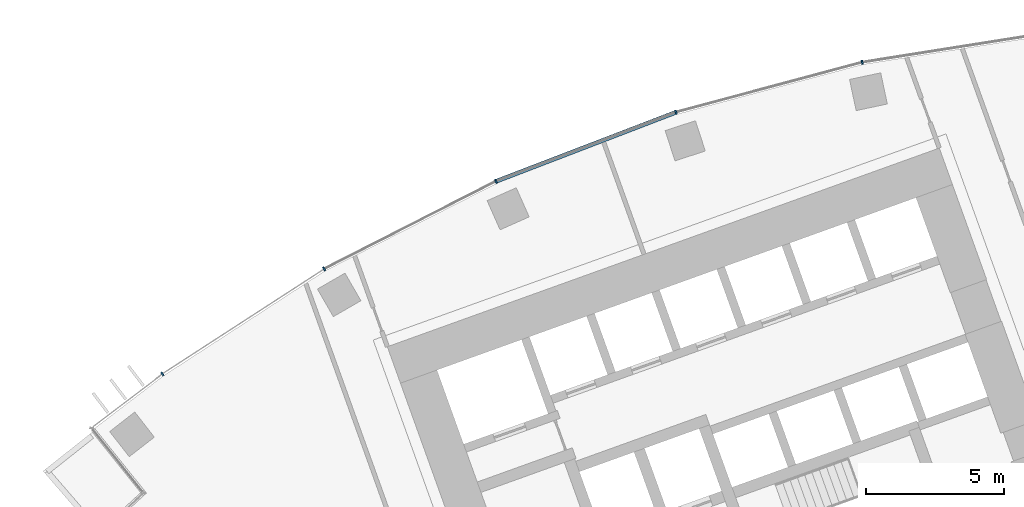
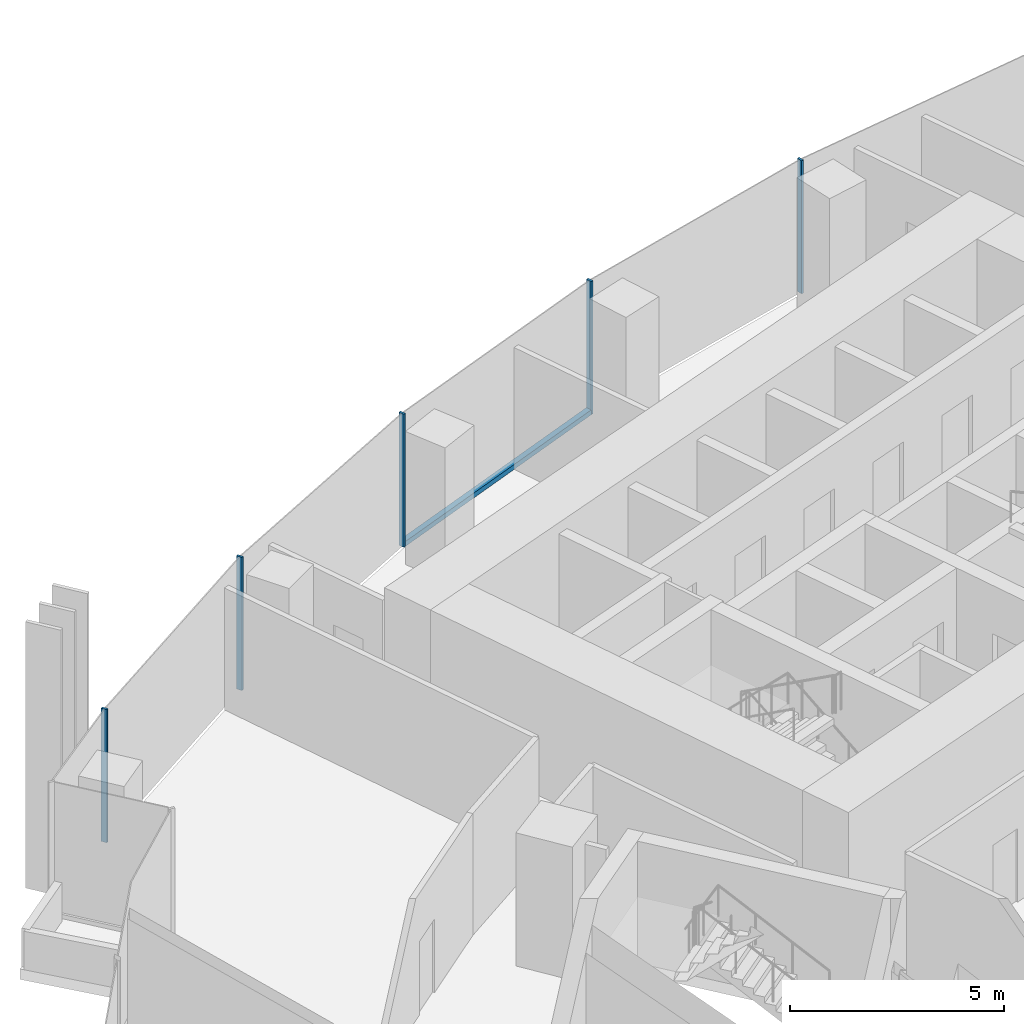
# One storey, part 5 of 20: 6 members, 1 element without a shape of its own.
"""IFC4 building model written with IfcOpenShell, lengths in metres."""

from ifc_helpers import new_model, si_unit, direction, frame, origin, origin_2d, place, context, subcontext, project, spatial, rectangle, extrude, material, layer, layer_set, material_profile, profile_set, type_object, element, aggregate, save


model = new_model("IFC4")

# Units and contexts
model_context = context("Model", 3, precision=1e-05, world=origin(), true_north=direction((0.0, 1.0)))
body_context = subcontext(model_context, "Body", "Model", "MODEL_VIEW")
ifc_project = project(units=[si_unit("LENGTHUNIT", "METRE"), si_unit("AREAUNIT", "SQUARE_METRE"), si_unit("VOLUMEUNIT", "CUBIC_METRE"), si_unit("PLANEANGLEUNIT", "RADIAN"), si_unit("MASSUNIT", "GRAM", prefix="KILO")], contexts=[model_context])

# Site, building, storey
site_placement = place(None, origin())
site = spatial("IfcSite", under=ifc_project, at=site_placement, CompositionType="ELEMENT")
building_placement = place(site_placement, origin())
building = spatial("IfcBuilding", under=site, at=building_placement, Name="Stone Belt Terrace Tower", CompositionType="ELEMENT")
storey_placement = place(building_placement, frame((0.0, 0.0, 125.0)))
storey = spatial("IfcBuildingStorey", under=building, at=storey_placement, Name="L30", CompositionType="ELEMENT", Elevation=125.0)

# Curtain wall, members
ifc_material = material(Name="Aluminium 6063-T6 anodised frame", Category="aluminium")
ifc_layer = layer(ifc_material, 0.14990234375)
ifc_layer_set = layer_set([ifc_layer], Name="CW-A unitised convex-face curtain wall")
curtain_wall_type = type_object("IfcCurtainWallType", Name="CW-A unitised convex-face curtain wall", PredefinedType="NOTDEFINED", material=ifc_layer_set)
curtain_wall_placement = place(storey_placement, origin())
curtain_wall = element("IfcCurtainWall", 1, at=curtain_wall_placement, inside=storey, type_object=curtain_wall_type, Name="CW-A convex face L30", PredefinedType="NOTDEFINED")
ifc_material_profile_1 = material_profile(ifc_material, rectangle(XDim=0.14990234375, YDim=0.06005859375, at=origin_2d()), Name="Aluminium 6063-T6 60x150")
ifc_profile_set_1 = profile_set([ifc_material_profile_1], Name="Aluminium 6063-T6 anodised frame")
member_type_1 = type_object("IfcMemberType", Name="CW-A mullion 60 x 150", PredefinedType="MULLION", material=ifc_profile_set_1)
member_1_placement = place(storey_placement, frame((-13.841796875, 65.120361328125, 0.0), z_axis=(0.0, 0.0, 1.0), x_axis=(0.207911690818, -0.978147600734, 0.0)))
member_1 = element("IfcMember", 2, at=member_1_placement, type_object=member_type_1, Name="CW-A mullion 12", PredefinedType="MULLION", context=body_context, shape_type="SweptSolid", body=[
    extrude(rectangle(XDim=0.14990234375, YDim=0.06005859375, at=origin_2d()), origin(), (0.0, 0.0, 1.0), 3.800048828125),
])
member_2_placement = place(storey_placement, frame((-20.57275390625, 63.316650390625, 0.0), z_axis=(0.0, 0.0, 1.0), x_axis=(0.309016994375, -0.951056516295, 0.0)))
member_2 = element("IfcMember", 3, at=member_2_placement, type_object=member_type_1, Name="CW-A mullion 13", PredefinedType="MULLION", context=body_context, shape_type="SweptSolid", body=[
    extrude(rectangle(XDim=0.14990234375, YDim=0.06005859375, at=origin_2d()), origin(), (0.0, 0.0, 1.0), 3.800048828125),
])
member_3_placement = place(storey_placement, frame((-27.07861328125, 60.8193359375, 0.0), z_axis=(0.0, 0.0, 1.0), x_axis=(0.406736643076, -0.913545457643, 0.0)))
member_3 = element("IfcMember", 4, at=member_3_placement, type_object=member_type_1, Name="CW-A mullion 14", PredefinedType="MULLION", context=body_context, shape_type="SweptSolid", body=[
    extrude(rectangle(XDim=0.14990234375, YDim=0.06005859375, at=origin_2d()), origin(), (0.0, 0.0, 1.0), 3.800048828125),
])
member_4_placement = place(storey_placement, frame((-33.28759765625, 57.65576171875, 0.0), z_axis=(0.0, 0.0, 1.0), x_axis=(0.5, -0.866025403784, 0.0)))
member_4 = element("IfcMember", 5, at=member_4_placement, type_object=member_type_1, Name="CW-A mullion 15", PredefinedType="MULLION", context=body_context, shape_type="SweptSolid", body=[
    extrude(rectangle(XDim=0.14990234375, YDim=0.06005859375, at=origin_2d()), origin(), (0.0, 0.0, 1.0), 3.800048828125),
])
member_5_placement = place(storey_placement, frame((-39.130859375, 53.861083984375, 0.0), z_axis=(0.0, 0.0, 1.0), x_axis=(0.576101937282, -0.81737785501, 0.0)))
member_5 = element("IfcMember", 6, at=member_5_placement, type_object=member_type_1, Name="CW-A mullion 16", PredefinedType="MULLION", context=body_context, shape_type="SweptSolid", body=[
    extrude(rectangle(XDim=0.14990234375, YDim=0.06005859375, at=origin_2d()), origin(), (0.0, 0.0, 1.0), 3.800048828125),
])
ifc_material_profile_2 = material_profile(ifc_material, rectangle(XDim=0.14990234375, YDim=0.139892578125, at=origin_2d()), Name="Aluminium 6063-T6 150x140")
ifc_profile_set_2 = profile_set([ifc_material_profile_2], Name="Aluminium 6063-T6 anodised frame")
member_type_2 = type_object("IfcMemberType", Name="CW-A transom 140 x 150", PredefinedType="USERDEFINED", material=ifc_profile_set_2)
member_6_placement = place(storey_placement, frame((-20.6044921875, 63.304443359375, 0.070068359375), z_axis=(-0.933585210269, -0.358355487146, 0.0), x_axis=(0.358355487146, -0.933585210269, 0.0)))
member_6 = element("IfcMember", 7, at=member_6_placement, type_object=member_type_2, Name="CW-A transom 13.1", ObjectType="TRANSOM", PredefinedType="USERDEFINED", context=body_context, shape_type="SweptSolid", body=[
    extrude(rectangle(XDim=0.14990234375, YDim=0.139892578125, at=origin_2d()), origin(), (0.0, 0.0, 1.0), 6.900634765625),
])
aggregate(curtain_wall, [member_1, member_2, member_3, member_4, member_5, member_6])

save(model, "model.ifc")
